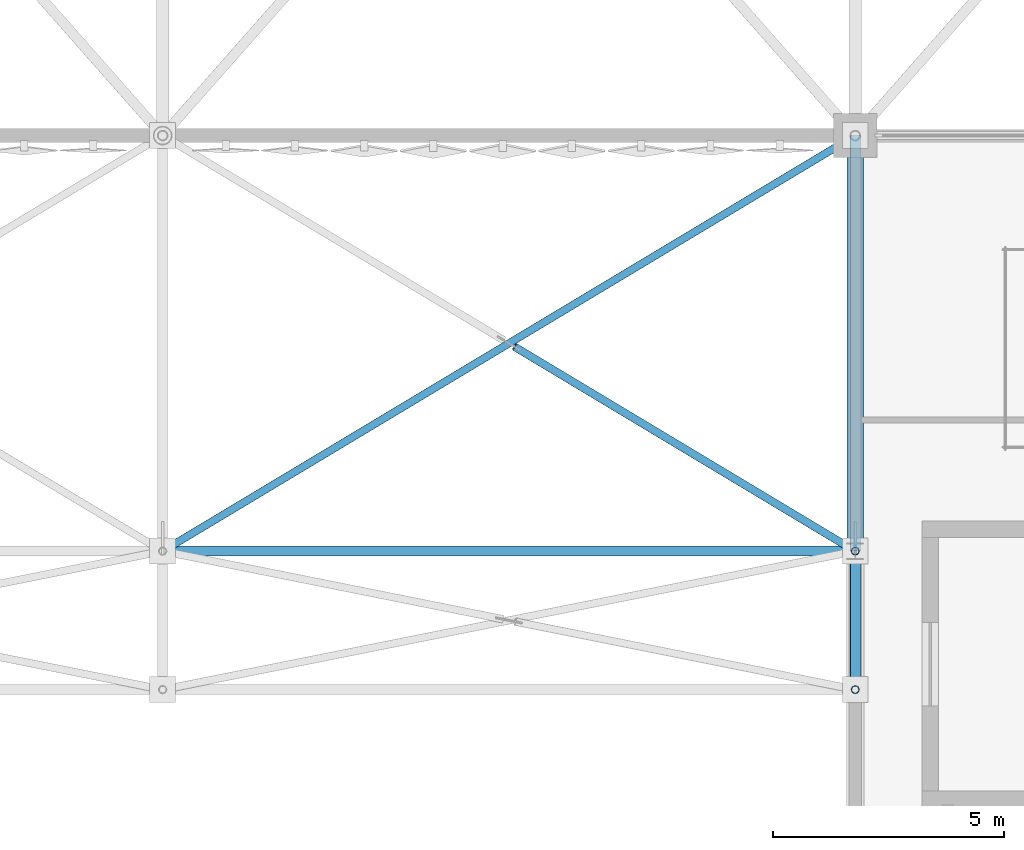
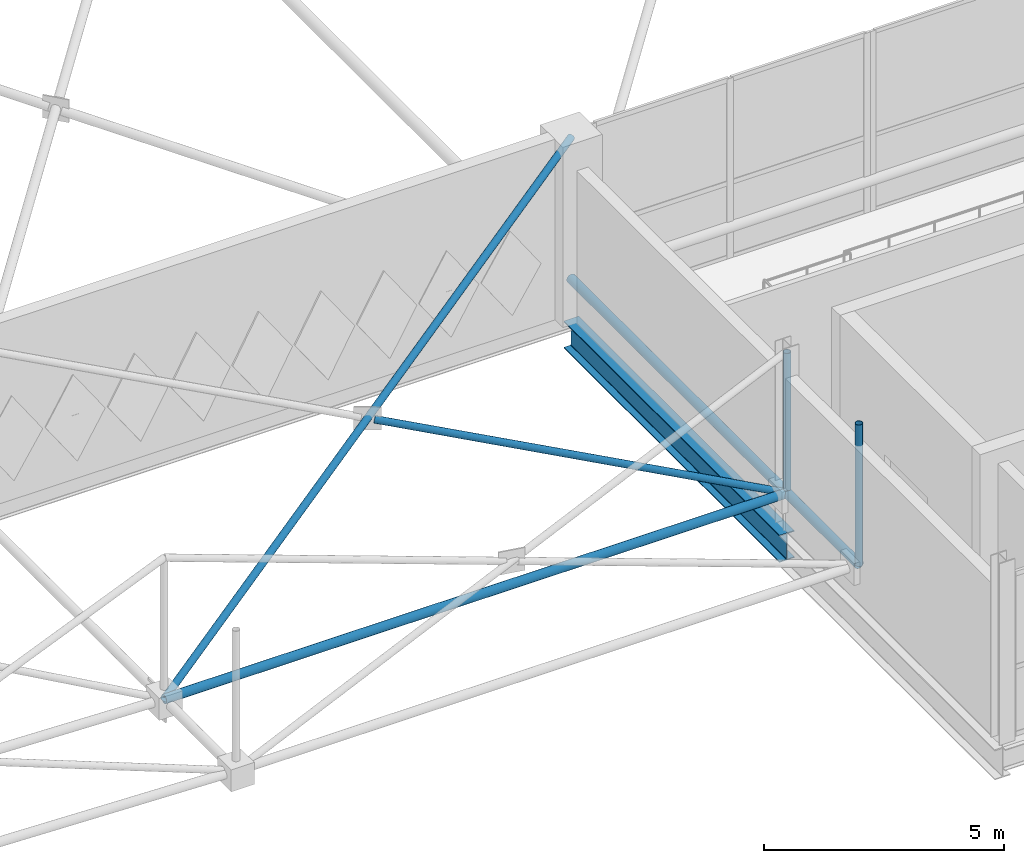
# One storey, part 42 of 224: 7 members, 1 beam.
"""IFC4 building model written with IfcOpenShell, lengths in metres."""

from ifc_helpers import new_model, si_unit, direction, frame, origin, origin_2d, place, context, subcontext, project, spatial, hollow_circle, i_section, extrude, material, material_profile, profile_set, type_object, element, save


model = new_model("IFC4")

# Units and contexts
model_context = context("Model", 3, precision=1e-05, world=origin(), true_north=direction((0.0, 1.0)))
body_context = subcontext(model_context, "Body", "Model", "MODEL_VIEW")
ifc_project = project(units=[si_unit("LENGTHUNIT", "METRE"), si_unit("AREAUNIT", "SQUARE_METRE"), si_unit("VOLUMEUNIT", "CUBIC_METRE"), si_unit("PLANEANGLEUNIT", "RADIAN"), si_unit("MASSUNIT", "GRAM", prefix="KILO")], contexts=[model_context])

# Site, building, storey
site_placement = place(None, origin())
site = spatial("IfcSite", under=ifc_project, at=site_placement, CompositionType="ELEMENT")
building_placement = place(site_placement, origin())
building = spatial("IfcBuilding", under=site, at=building_placement, Name="Qamarlyn Nura Convention Centre", CompositionType="ELEMENT")
storey_placement = place(building_placement, frame((0.0, 0.0, 10.800048828125)))
storey = spatial("IfcBuildingStorey", under=building, at=storey_placement, Name="L02", CompositionType="ELEMENT", Elevation=10.800048828125)

# Beam
ifc_material_1 = material(Name="Steel ASTM A992", Category="steel")
ifc_material_profile_1 = material_profile(ifc_material_1, i_section(OverallWidth=0.35498046875, OverallDepth=0.695068359375, WebThickness=0.015380859375, FlangeThickness=0.02490234375, FilletRadius=0.01806640625, at=origin_2d()), Name="W690X217")
ifc_profile_set_1 = profile_set([ifc_material_profile_1], Name="Steel ASTM A992")
beam_type = type_object("IfcBeamType", Name="BM-GIRD-690A", PredefinedType="BEAM", material=ifc_profile_set_1)
beam_placement = place(storey_placement, frame((60.0, 9.0, -0.567626953125), z_axis=(0.0, 1.0, 0.0), x_axis=(-1.0, 0.0, 0.0)))
element("IfcBeam", 1, at=beam_placement, inside=storey, type_object=beam_type, Name="L02 girder 5 B-C", PredefinedType="BEAM", context=body_context, shape_type="SweptSolid", body=[
    extrude(i_section(OverallWidth=0.35498046875, OverallDepth=0.695068359375, WebThickness=0.015380859375, FlangeThickness=0.02490234375, FilletRadius=0.01806640625, at=origin_2d()), origin(), (0.0, 0.0, 1.0), 9.0),
])

# Members
ifc_material_2 = material(Name="Pearl-white PVDF steel ASTM A500 Grade C", Category="steel")
ifc_material_profile_2 = material_profile(ifc_material_2, hollow_circle(Radius=0.109619140625, WallThickness=0.010009765625, at=origin_2d()), Name="CHS219.1X10")
ifc_profile_set_2 = profile_set([ifc_material_profile_2], Name="Pearl-white PVDF steel ASTM A500 Grade C")
member_type_1 = type_object("IfcMemberType", Name="SF-BC-EAVE", PredefinedType="CHORD", material=ifc_profile_set_2)
member_1_placement = place(storey_placement, frame((45.0, 9.0, 0.800048828125), z_axis=(1.0, 0.0, 0.0), x_axis=(0.0, 1.0, 0.0)))
element("IfcMember", 2, at=member_1_placement, inside=storey, type_object=member_type_1, Name="ROOF TRUSS space frame bottom chord X5-1", PredefinedType="CHORD", context=body_context, shape_type="SweptSolid", body=[
    extrude(hollow_circle(Radius=0.109619140625, WallThickness=0.010009765625, at=origin_2d()), origin(), (0.0, 0.0, 1.0), 15.0),
])
member_2_placement = place(storey_placement, frame((60.0, 6.0, 0.800048828125), z_axis=(0.0, 1.0, 0.0), x_axis=(-1.0, 0.0, 0.0)))
element("IfcMember", 3, at=member_2_placement, inside=storey, type_object=member_type_1, Name="ROOF TRUSS space frame bottom chord Y6-0", PredefinedType="CHORD", context=body_context, shape_type="SweptSolid", body=[
    extrude(hollow_circle(Radius=0.109619140625, WallThickness=0.010009765625, at=origin_2d()), origin(), (0.0, 0.0, 1.0), 3.0),
])
member_3_placement = place(storey_placement, frame((60.0, 9.0, 0.800048828125), z_axis=(0.0, 1.0, 0.0), x_axis=(-1.0, 0.0, 0.0)))
element("IfcMember", 4, at=member_3_placement, inside=storey, type_object=member_type_1, Name="ROOF TRUSS space frame bottom chord Y6-1", PredefinedType="CHORD", context=body_context, shape_type="SweptSolid", body=[
    extrude(hollow_circle(Radius=0.109619140625, WallThickness=0.010009765625, at=origin_2d()), origin(), (0.0, 0.0, 1.0), 9.0),
])
ifc_material_profile_3 = material_profile(ifc_material_2, hollow_circle(Radius=0.084228515625, WallThickness=0.008056640625, at=origin_2d()), Name="CHS168.3X8")
ifc_profile_set_3 = profile_set([ifc_material_profile_3], Name="Pearl-white PVDF steel ASTM A500 Grade C")
member_type_2 = type_object("IfcMemberType", Name="SF-WEB-STD", PredefinedType="BRACE", material=ifc_profile_set_3)
member_4_placement = place(storey_placement, frame((45.0, 9.0, 0.800048828125), z_axis=(0.839892814441, 0.503935688665, 0.201566073388), x_axis=(-0.514495755428, 0.857492925713, 0.0)))
element("IfcMember", 5, at=member_4_placement, inside=storey, type_object=member_type_2, Name="ROOF TRUSS space frame diagonal A 5-1", PredefinedType="BRACE", context=body_context, shape_type="SweptSolid", body=[
    extrude(hollow_circle(Radius=0.084228515625, WallThickness=0.008056640625, at=origin_2d()), origin(), (0.0, 0.0, 1.0), 17.859375),
])
member_5_placement = place(storey_placement, frame((60.0, 9.0, 0.800048828125), z_axis=(-0.839889638897, 0.503939338531, 0.201570180219), x_axis=(-0.514499925721, -0.857490423522, 0.0)))
element("IfcMember", 6, at=member_5_placement, inside=storey, type_object=member_type_2, Name="ROOF TRUSS space frame split diagonal B1 5-1", PredefinedType="BRACE", context=body_context, shape_type="SweptSolid", body=[
    extrude(hollow_circle(Radius=0.084228515625, WallThickness=0.008056640625, at=origin_2d()), origin(), (0.0, 0.0, 1.0), 8.78955078125),
])
for number, where, z_axis, x_axis, name in (
    (7, (60.0, 6.0, 0.800048828125), (0.0, 0.0, 1.0), (1.0, 0.0, 0.0), "ROOF TRUSS space frame vertical 6-0"),
    (8, (60.0, 9.0, 0.800048828125), (0.0, 0.0, 1.0), (1.0, 0.0, 0.0), "ROOF TRUSS space frame vertical 6-1"),
):
    element("IfcMember", number, at=place(storey_placement, frame(where, z_axis=z_axis, x_axis=x_axis)), inside=storey, type_object=member_type_2, Name=name, PredefinedType="BRACE", context=body_context, shape_type="SweptSolid", body=[
        extrude(hollow_circle(Radius=0.084228515625, WallThickness=0.008056640625, at=origin_2d()), origin(), (0.0, 0.0, 1.0), 3.599853515625),
    ])

save(model, "model.ifc")
